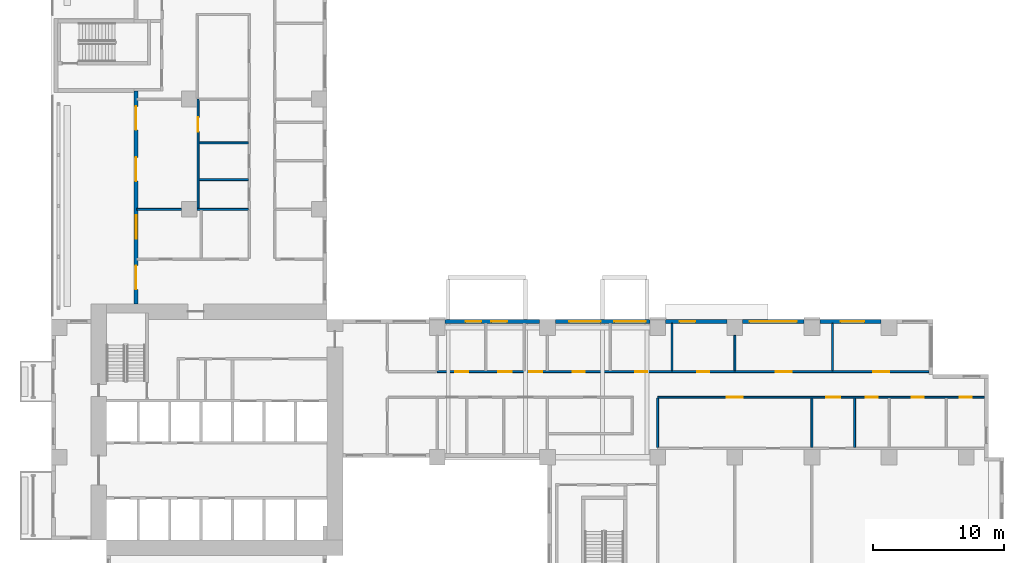
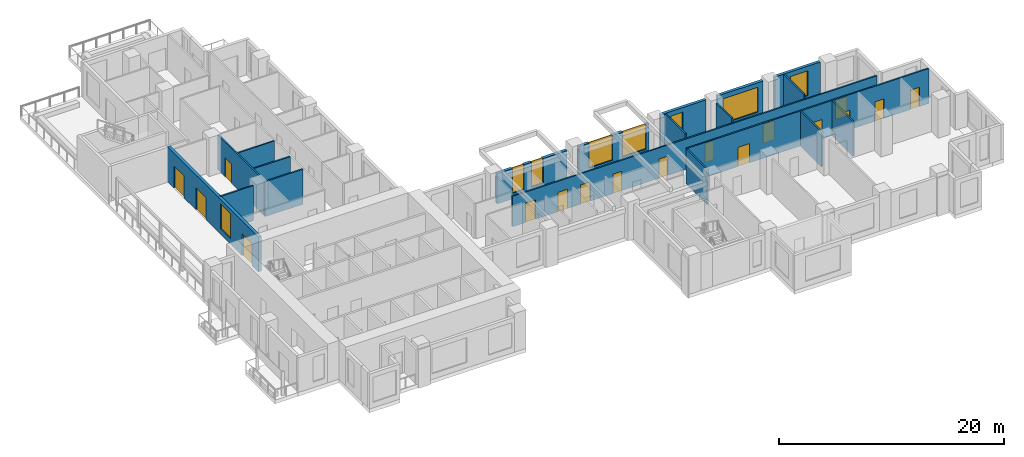
# One storey, part 9 of 18: 19 walls, 17 doors, 8 windows, 25 openings.
"""IFC4 building model written with IfcOpenShell, lengths in metres."""

from ifc_helpers import new_model, si_unit, direction, frame, frame_2d, origin, place, context, subcontext, project, spatial, rectangle, extrude, source, transform, mapped, material, layer, layer_set, type_object, element, fill, save


model = new_model("IFC4")

# Units and contexts
model_context = context("Model", 3, precision=1e-05, world=origin(), true_north=direction((0.0, 1.0)))
body_context = subcontext(model_context, "Body", "Model", "MODEL_VIEW")
ifc_project = project(units=[si_unit("LENGTHUNIT", "METRE"), si_unit("AREAUNIT", "SQUARE_METRE"), si_unit("VOLUMEUNIT", "CUBIC_METRE"), si_unit("PLANEANGLEUNIT", "RADIAN"), si_unit("MASSUNIT", "GRAM", prefix="KILO")], contexts=[model_context])

# Site, building, storey
site_placement = place(None, origin())
site = spatial("IfcSite", under=ifc_project, at=site_placement, CompositionType="ELEMENT")
building_placement = place(site_placement, origin())
building = spatial("IfcBuilding", under=site, at=building_placement, Name="Aurelian Terraces", CompositionType="ELEMENT")
storey_placement = place(building_placement, frame((0.0, 0.0, 99.3)))
storey = spatial("IfcBuildingStorey", under=building, at=storey_placement, Name="L21", CompositionType="ELEMENT", Elevation=99.3)

# Wall, openings, doors, window
ifc_material_1 = material(Name="Terracotta rainscreen cladding", Category="masonry")
ifc_layer_1 = layer(ifc_material_1, 0.3)
ifc_layer_set_1 = layer_set([ifc_layer_1], Name="EW-300")
wall_type_1 = type_object("IfcWallType", Name="EW-300", PredefinedType="STANDARD", material=ifc_layer_set_1)
wall_1_placement = place(storey_placement, frame((6.45, 38.4, 0.0), z_axis=(0.0, 0.0, 1.0), x_axis=(0.0, -1.0, 0.0)))
wall_1 = element("IfcWall", 1, at=wall_1_placement, inside=storey, type_object=wall_type_1, Name="External wall L21 F20.35", PredefinedType="STANDARD", context=body_context, shape_type="SweptSolid", body=[
    extrude(rectangle(XDim=16.2, YDim=0.3, at=frame_2d((8.1, 0.0))), origin(), (0.0, 0.0, 1.0), 3.8),
])
shared_shape_1 = source(origin(), body_context, "Body", "SweptSolid", [
    extrude(rectangle(XDim=1.8, YDim=2.4, at=frame_2d((0.9, 1.2))), frame((0.0, 0.16, 0.0), z_axis=(0.0, -1.0, 0.0), x_axis=(1.0, 0.0, 0.0)), (0.0, 0.0, 1.0), 0.32),
])
opening_1_placement = place(wall_1_placement, frame((1.15, 0.0, 0.0)))
opening_1 = element("IfcOpeningElement", 2, at=opening_1_placement, cuts=wall_1, Name="Opening 82106", PredefinedType="OPENING", context=body_context, shape_type="MappedRepresentation", body=[
    mapped(shared_shape_1, transform((0.0, 0.0, 0.0), scale=1.0)),
])
opening_2_placement = place(wall_1_placement, frame((5.05, 0.0, 0.0)))
opening_2 = element("IfcOpeningElement", 3, at=opening_2_placement, cuts=wall_1, Name="Opening 82107", PredefinedType="OPENING", context=body_context, shape_type="MappedRepresentation", body=[
    mapped(shared_shape_1, transform((0.0, 0.0, 0.0), scale=1.0)),
])
shared_shape_2 = source(origin(), body_context, "Body", "SweptSolid", [
    extrude(rectangle(XDim=1.8, YDim=2.7, at=frame_2d((0.9, 1.35))), frame((0.0, 0.16, 0.0), z_axis=(0.0, -1.0, 0.0), x_axis=(1.0, 0.0, 0.0)), (0.0, 0.0, 1.0), 0.32),
])
opening_3_placement = place(wall_1_placement, frame((9.4375, 0.0, 0.6)))
opening_3 = element("IfcOpeningElement", 4, at=opening_3_placement, cuts=wall_1, Name="Opening W1827", PredefinedType="OPENING", context=body_context, shape_type="MappedRepresentation", body=[
    mapped(shared_shape_2, transform((0.0, 0.0, 0.0), scale=1.0)),
])
opening_4_placement = place(wall_1_placement, frame((13.3, 0.0, 0.0)))
opening_4 = element("IfcOpeningElement", 5, at=opening_4_placement, cuts=wall_1, Name="Opening 82108", PredefinedType="OPENING", context=body_context, shape_type="MappedRepresentation", body=[
    mapped(shared_shape_1, transform((0.0, 0.0, 0.0), scale=1.0)),
])
ifc_material_2 = material(Name="Clear glazing", Category="glass")
door_type_1 = type_object("IfcDoorType", Name="BD-1800x2400", OperationType="SLIDING_TO_LEFT", PredefinedType="DOOR", material=ifc_material_2)
shared_shape_3 = source(origin(), body_context, "Body", "SweptSolid", [
    extrude(rectangle(XDim=1.8, YDim=2.4, at=frame_2d((0.9, 1.2))), frame((0.0, 0.025, 0.0), z_axis=(0.0, -1.0, 0.0), x_axis=(1.0, 0.0, 0.0)), (0.0, 0.0, 1.0), 0.05),
])
door_1_placement = place(opening_1_placement, origin())
door_1 = element("IfcDoor", 6, at=door_1_placement, inside=storey, type_object=door_type_1, Name="Terrace door L21 L21-F20-35.1", OperationType="SLIDING_TO_LEFT", OverallHeight=2.4, OverallWidth=1.8, PredefinedType="DOOR", context=body_context, shape_type="MappedRepresentation", body=[
    mapped(shared_shape_3, transform((0.0, 0.0, 0.0), scale=1.0)),
])
fill(opening_1, door_1)
door_2_placement = place(opening_2_placement, origin())
door_2 = element("IfcDoor", 7, at=door_2_placement, inside=storey, type_object=door_type_1, Name="Terrace door L21 L21-F20-35.2", OperationType="SLIDING_TO_LEFT", OverallHeight=2.4, OverallWidth=1.8, PredefinedType="DOOR", context=body_context, shape_type="MappedRepresentation", body=[
    mapped(shared_shape_3, transform((0.0, 0.0, 0.0), scale=1.0)),
])
fill(opening_2, door_2)
door_3_placement = place(opening_4_placement, origin())
door_3 = element("IfcDoor", 8, at=door_3_placement, inside=storey, type_object=door_type_1, Name="Terrace door L21 L21-F20-35.4", OperationType="SLIDING_TO_LEFT", OverallHeight=2.4, OverallWidth=1.8, PredefinedType="DOOR", context=body_context, shape_type="MappedRepresentation", body=[
    mapped(shared_shape_3, transform((0.0, 0.0, 0.0), scale=1.0)),
])
fill(opening_4, door_3)
window_type_1 = type_object("IfcWindowType", Name="W-1800x2700", PartitioningType="SINGLE_PANEL", PredefinedType="WINDOW", material=ifc_material_2)
shared_shape_4 = source(origin(), body_context, "Body", "SweptSolid", [
    extrude(rectangle(XDim=1.8, YDim=2.7, at=frame_2d((0.9, 1.35))), frame((0.0, 0.03, 0.0), z_axis=(0.0, -1.0, 0.0), x_axis=(1.0, 0.0, 0.0)), (0.0, 0.0, 1.0), 0.06),
])
window_1_placement = place(opening_3_placement, origin())
window_1 = element("IfcWindow", 9, at=window_1_placement, inside=storey, type_object=window_type_1, Name="Window L21 L21-F20-35-2", OverallHeight=2.7, OverallWidth=1.8, PartitioningType="SINGLE_PANEL", PredefinedType="WINDOW", context=body_context, shape_type="MappedRepresentation", body=[
    mapped(shared_shape_4, transform((0.0, 0.0, 0.0), scale=1.0)),
])
fill(opening_3, window_1)

# Wall
ifc_material_3 = material(Name="Gypsum board on steel studs", Category="steel")
ifc_layer_2 = layer(ifc_material_3, 0.15)
ifc_layer_set_2 = layer_set([ifc_layer_2], Name="Partition 150")
wall_type_2 = type_object("IfcWallType", Name="Partition 150", PredefinedType="PARTITIONING", material=ifc_layer_set_2)
wall_2_placement = place(storey_placement, frame((9.901, 29.4, 0.0), z_axis=(0.0, 0.0, 1.0), x_axis=(-1.0, 0.0, 0.0)))
element("IfcWall", 10, at=wall_2_placement, inside=storey, type_object=wall_type_2, Name="Partition", PredefinedType="PARTITIONING", context=body_context, shape_type="SweptSolid", body=[
    extrude(rectangle(XDim=3.396, YDim=0.15, at=frame_2d((1.698, 0.0))), origin(), (0.0, 0.0, 1.0), 3.8),
])

# Wall, opening, window
shared_shape_5 = source(origin(), body_context, "Body", "SweptSolid", [
    extrude(rectangle(XDim=4.68, YDim=0.3, at=frame_2d((2.34, 0.0))), origin(), (0.0, 0.0, 1.0), 3.8),
])
wall_3_placement = place(storey_placement, frame((63.24, 20.85, 0.0), z_axis=(0.0, 0.0, 1.0), x_axis=(-1.0, 0.0, 0.0)))
wall_3 = element("IfcWall", 11, at=wall_3_placement, inside=storey, type_object=wall_type_1, Name="External wall L21 F11.21", PredefinedType="STANDARD", context=body_context, shape_type="MappedRepresentation", body=[
    mapped(shared_shape_5, transform((0.0, 0.0, 0.0), scale=1.0)),
])
opening_5_placement = place(wall_3_placement, frame((1.2885, 0.0, 0.6)))
opening_5 = element("IfcOpeningElement", 12, at=opening_5_placement, cuts=wall_3, Name="Opening W1827", PredefinedType="OPENING", context=body_context, shape_type="MappedRepresentation", body=[
    mapped(shared_shape_2, transform((0.0, 0.0, 0.0), scale=1.0)),
])
window_2_placement = place(opening_5_placement, origin())
window_2 = element("IfcWindow", 13, at=window_2_placement, inside=storey, type_object=window_type_1, Name="Window L21 L21-F11-21-1", OverallHeight=2.7, OverallWidth=1.8, PartitioningType="SINGLE_PANEL", PredefinedType="WINDOW", context=body_context, shape_type="MappedRepresentation", body=[
    mapped(shared_shape_4, transform((0.0, 0.0, 0.0), scale=1.0)),
])
fill(opening_5, window_2)

wall_4_placement = place(storey_placement, frame((57.36, 20.85, 0.0), z_axis=(0.0, 0.0, 1.0), x_axis=(-1.0, 0.0, 0.0)))
wall_4 = element("IfcWall", 14, at=wall_4_placement, inside=storey, type_object=wall_type_1, Name="External wall L21 F11.21", PredefinedType="STANDARD", context=body_context, shape_type="MappedRepresentation", body=[
    mapped(shared_shape_5, transform((0.0, 0.0, 0.0), scale=1.0)),
])
shared_shape_6 = source(origin(), body_context, "Body", "SweptSolid", [
    extrude(rectangle(XDim=3.6, YDim=2.7, at=frame_2d((1.8, 1.35))), frame((0.0, 0.16, 0.0), z_axis=(0.0, -1.0, 0.0), x_axis=(1.0, 0.0, 0.0)), (0.0, 0.0, 1.0), 0.32),
])
opening_6_placement = place(wall_4_placement, frame((0.54, 0.0, 0.6)))
opening_6 = element("IfcOpeningElement", 15, at=opening_6_placement, cuts=wall_4, Name="Opening W3627", PredefinedType="OPENING", context=body_context, shape_type="MappedRepresentation", body=[
    mapped(shared_shape_6, transform((0.0, 0.0, 0.0), scale=1.0)),
])
window_type_2 = type_object("IfcWindowType", Name="W-3600x2700", PartitioningType="SINGLE_PANEL", PredefinedType="WINDOW", material=ifc_material_2)
shared_shape_7 = source(origin(), body_context, "Body", "SweptSolid", [
    extrude(rectangle(XDim=3.6, YDim=2.7, at=frame_2d((1.8, 1.35))), frame((0.0, 0.03, 0.0), z_axis=(0.0, -1.0, 0.0), x_axis=(1.0, 0.0, 0.0)), (0.0, 0.0, 1.0), 0.06),
])
window_3_placement = place(opening_6_placement, origin())
window_3 = element("IfcWindow", 16, at=window_3_placement, inside=storey, type_object=window_type_2, Name="Window L21 L21-F11-21-P2", OverallHeight=2.7, OverallWidth=3.6, PartitioningType="SINGLE_PANEL", PredefinedType="WINDOW", context=body_context, shape_type="MappedRepresentation", body=[
    mapped(shared_shape_7, transform((0.0, 0.0, 0.0), scale=1.0)),
])
fill(opening_6, window_3)

wall_5_placement = place(storey_placement, frame((51.48, 20.85, 0.0), z_axis=(0.0, 0.0, 1.0), x_axis=(-1.0, 0.0, 0.0)))
wall_5 = element("IfcWall", 17, at=wall_5_placement, inside=storey, type_object=wall_type_1, Name="External wall L21 F11.21", PredefinedType="STANDARD", context=body_context, shape_type="MappedRepresentation", body=[
    mapped(shared_shape_5, transform((0.0, 0.0, 0.0), scale=1.0)),
])
shared_shape_8 = source(origin(), body_context, "Body", "SweptSolid", [
    extrude(rectangle(XDim=1.2, YDim=2.7, at=frame_2d((0.6, 1.35))), frame((0.0, 0.16, 0.0), z_axis=(0.0, -1.0, 0.0), x_axis=(1.0, 0.0, 0.0)), (0.0, 0.0, 1.0), 0.32),
])
opening_7_placement = place(wall_5_placement, frame((2.395, 0.0, 0.6)))
opening_7 = element("IfcOpeningElement", 18, at=opening_7_placement, cuts=wall_5, Name="Opening W1227", PredefinedType="OPENING", context=body_context, shape_type="MappedRepresentation", body=[
    mapped(shared_shape_8, transform((0.0, 0.0, 0.0), scale=1.0)),
])
window_type_3 = type_object("IfcWindowType", Name="W-1200x2700", PartitioningType="SINGLE_PANEL", PredefinedType="WINDOW", material=ifc_material_2)
shared_shape_9 = source(origin(), body_context, "Body", "SweptSolid", [
    extrude(rectangle(XDim=1.2, YDim=2.7, at=frame_2d((0.6, 1.35))), frame((0.0, 0.03, 0.0), z_axis=(0.0, -1.0, 0.0), x_axis=(1.0, 0.0, 0.0)), (0.0, 0.0, 1.0), 0.06),
])
window_4_placement = place(opening_7_placement, origin())
window_4 = element("IfcWindow", 19, at=window_4_placement, inside=storey, type_object=window_type_3, Name="Window L21 L21-F11-21-4", OverallHeight=2.7, OverallWidth=1.2, PartitioningType="SINGLE_PANEL", PredefinedType="WINDOW", context=body_context, shape_type="MappedRepresentation", body=[
    mapped(shared_shape_9, transform((0.0, 0.0, 0.0), scale=1.0)),
])
fill(opening_7, window_4)

# Wall, openings, windows
shared_shape_10 = source(origin(), body_context, "Body", "SweptSolid", [
    extrude(rectangle(XDim=7.2, YDim=0.3, at=frame_2d((3.6, 0.0))), origin(), (0.0, 0.0, 1.0), 3.3),
])
wall_6_placement = place(storey_placement, frame((45.6, 20.85, 0.0), z_axis=(0.0, 0.0, 1.0), x_axis=(-1.0, 0.0, 0.0)))
wall_6 = element("IfcWall", 20, at=wall_6_placement, inside=storey, type_object=wall_type_1, Name="External wall L21 F11.22", PredefinedType="STANDARD", context=body_context, shape_type="MappedRepresentation", body=[
    mapped(shared_shape_10, transform((0.0, 0.0, 0.0), scale=1.0)),
])
shared_shape_11 = source(origin(), body_context, "Body", "SweptSolid", [
    extrude(rectangle(XDim=2.4, YDim=2.7, at=frame_2d((1.2, 1.35))), frame((0.0, 0.16, 0.0), z_axis=(0.0, -1.0, 0.0), x_axis=(1.0, 0.0, 0.0)), (0.0, 0.0, 1.0), 0.32),
])
opening_8_placement = place(wall_6_placement, frame((0.3, 0.0, 0.6)))
opening_8 = element("IfcOpeningElement", 21, at=opening_8_placement, cuts=wall_6, Name="Opening W2427", PredefinedType="OPENING", context=body_context, shape_type="MappedRepresentation", body=[
    mapped(shared_shape_11, transform((0.0, 0.0, 0.0), scale=1.0)),
])
opening_9_placement = place(wall_6_placement, frame((3.75, 0.0, 0.6)))
opening_9 = element("IfcOpeningElement", 22, at=opening_9_placement, cuts=wall_6, Name="Opening W2427", PredefinedType="OPENING", context=body_context, shape_type="MappedRepresentation", body=[
    mapped(shared_shape_11, transform((0.0, 0.0, 0.0), scale=1.0)),
])
window_type_4 = type_object("IfcWindowType", Name="W-2400x2700", PartitioningType="SINGLE_PANEL", PredefinedType="WINDOW", material=ifc_material_2)
shared_shape_12 = source(origin(), body_context, "Body", "SweptSolid", [
    extrude(rectangle(XDim=2.4, YDim=2.7, at=frame_2d((1.2, 1.35))), frame((0.0, 0.03, 0.0), z_axis=(0.0, -1.0, 0.0), x_axis=(1.0, 0.0, 0.0)), (0.0, 0.0, 1.0), 0.06),
])
window_5_placement = place(opening_8_placement, origin())
window_5 = element("IfcWindow", 23, at=window_5_placement, inside=storey, type_object=window_type_4, Name="Window L21 L21-F11-22-0", OverallHeight=2.7, OverallWidth=2.4, PartitioningType="SINGLE_PANEL", PredefinedType="WINDOW", context=body_context, shape_type="MappedRepresentation", body=[
    mapped(shared_shape_12, transform((0.0, 0.0, 0.0), scale=1.0)),
])
fill(opening_8, window_5)
window_6_placement = place(opening_9_placement, origin())
window_6 = element("IfcWindow", 24, at=window_6_placement, inside=storey, type_object=window_type_4, Name="Window L21 L21-F11-22-G0-33", OverallHeight=2.7, OverallWidth=2.4, PartitioningType="SINGLE_PANEL", PredefinedType="WINDOW", context=body_context, shape_type="MappedRepresentation", body=[
    mapped(shared_shape_12, transform((0.0, 0.0, 0.0), scale=1.0)),
])
fill(opening_9, window_6)

wall_7_placement = place(storey_placement, frame((37.2, 20.85, 0.0), z_axis=(0.0, 0.0, 1.0), x_axis=(-1.0, 0.0, 0.0)))
wall_7 = element("IfcWall", 25, at=wall_7_placement, inside=storey, type_object=wall_type_1, Name="External wall L21 F11.22", PredefinedType="STANDARD", context=body_context, shape_type="MappedRepresentation", body=[
    mapped(shared_shape_10, transform((0.0, 0.0, 0.0), scale=1.0)),
])
opening_10_placement = place(wall_7_placement, frame((2.466, 0.0, 0.6)))
opening_10 = element("IfcOpeningElement", 26, at=opening_10_placement, cuts=wall_7, Name="Opening W1227", PredefinedType="OPENING", context=body_context, shape_type="MappedRepresentation", body=[
    mapped(shared_shape_8, transform((0.0, 0.0, 0.0), scale=1.0)),
])
opening_11_placement = place(wall_7_placement, frame((4.441, 0.0, 0.6)))
opening_11 = element("IfcOpeningElement", 27, at=opening_11_placement, cuts=wall_7, Name="Opening W1227", PredefinedType="OPENING", context=body_context, shape_type="MappedRepresentation", body=[
    mapped(shared_shape_8, transform((0.0, 0.0, 0.0), scale=1.0)),
])
window_7_placement = place(opening_10_placement, origin())
window_7 = element("IfcWindow", 28, at=window_7_placement, inside=storey, type_object=window_type_3, Name="Window L21 L21-F11-22-2.1", OverallHeight=2.7, OverallWidth=1.2, PartitioningType="SINGLE_PANEL", PredefinedType="WINDOW", context=body_context, shape_type="MappedRepresentation", body=[
    mapped(shared_shape_9, transform((0.0, 0.0, 0.0), scale=1.0)),
])
fill(opening_10, window_7)
window_8_placement = place(opening_11_placement, origin())
window_8 = element("IfcWindow", 29, at=window_8_placement, inside=storey, type_object=window_type_3, Name="Window L21 L21-F11-22-2.2", OverallHeight=2.7, OverallWidth=1.2, PartitioningType="SINGLE_PANEL", PredefinedType="WINDOW", context=body_context, shape_type="MappedRepresentation", body=[
    mapped(shared_shape_9, transform((0.0, 0.0, 0.0), scale=1.0)),
])
fill(opening_11, window_8)

# Walls
shared_shape_13 = source(origin(), body_context, "Body", "SweptSolid", [
    extrude(rectangle(XDim=3.75, YDim=0.15, at=frame_2d((1.875, 0.0))), origin(), (0.0, 0.0, 1.0), 3.8),
])
for number, where, z_axis, x_axis, name in (
    (30, (61.2067, 11.25, 0.0), (0.0, 0.0, 1.0), (0.0, 1.0, 0.0), "Partition"),
    (31, (46.2, 11.25, 0.0), (0.0, 0.0, 1.0), (0.0, 1.0, 0.0), "Partition"),
    (32, (57.96, 11.25, 0.0), (0.0, 0.0, 1.0), (0.0, 1.0, 0.0), "Partition"),
    (33, (15.0, 31.6645, 0.0), (0.0, 0.0, 1.0), (-1.0, 0.0, 0.0), "Partition"),
    (34, (15.0, 34.4708, 0.0), (0.0, 0.0, 1.0), (-1.0, 0.0, 0.0), "Partition"),
):
    element("IfcWall", number, at=place(storey_placement, frame(where, z_axis=z_axis, x_axis=x_axis)), inside=storey, type_object=wall_type_2, Name=name, PredefinedType="PARTITIONING", context=body_context, shape_type="MappedRepresentation", body=[
        mapped(shared_shape_13, transform((0.0, 0.0, 0.0), scale=1.0)),
    ])
shared_shape_14 = source(origin(), body_context, "Body", "SweptSolid", [
    extrude(rectangle(XDim=3.6, YDim=0.15, at=frame_2d((1.8, 0.0))), origin(), (0.0, 0.0, 1.0), 3.8),
])
for number, where, z_axis, x_axis, name in (
    (35, (47.295, 20.7, 0.0), (0.0, 0.0, 1.0), (0.0, -1.0, 0.0), "Partition"),
    (36, (59.5275, 20.7, 0.0), (0.0, 0.0, 1.0), (0.0, -1.0, 0.0), "Partition"),
):
    element("IfcWall", number, at=place(storey_placement, frame(where, z_axis=z_axis, x_axis=x_axis)), inside=storey, type_object=wall_type_2, Name=name, PredefinedType="PARTITIONING", context=body_context, shape_type="MappedRepresentation", body=[
        mapped(shared_shape_14, transform((0.0, 0.0, 0.0), scale=1.0)),
    ])
shared_shape_15 = source(origin(), body_context, "Body", "SweptSolid", [
    extrude(rectangle(XDim=2.701, YDim=0.15, at=frame_2d((1.3505, 0.0))), origin(), (0.0, 0.0, 1.0), 3.8),
])
wall_8_placement = place(storey_placement, frame((52.08, 17.1, 0.0), z_axis=(0.0, 0.0, 1.0), x_axis=(0.0, 1.0, 0.0)))
element("IfcWall", 37, at=wall_8_placement, inside=storey, type_object=wall_type_2, Name="Partition", PredefinedType="PARTITIONING", context=body_context, shape_type="MappedRepresentation", body=[
    mapped(shared_shape_15, transform((0.0, 0.0, 0.0), scale=1.0)),
])

# Wall, opening, door
shared_shape_16 = source(origin(), body_context, "Body", "SweptSolid", [
    extrude(rectangle(XDim=8.4, YDim=0.15, at=frame_2d((4.2, 0.0))), origin(), (0.0, 0.0, 1.0), 3.8),
])
wall_9_placement = place(storey_placement, frame((11.175, 29.4, 0.0), z_axis=(0.0, 0.0, 1.0), x_axis=(0.0, 1.0, 0.0)))
wall_9 = element("IfcWall", 38, at=wall_9_placement, inside=storey, type_object=wall_type_2, Name="Partition", PredefinedType="PARTITIONING", context=body_context, shape_type="MappedRepresentation", body=[
    mapped(shared_shape_16, transform((0.0, 0.0, 0.0), scale=1.0)),
])
shared_shape_17 = source(origin(), body_context, "Body", "SweptSolid", [
    extrude(rectangle(XDim=1.1, YDim=2.1, at=frame_2d((0.55, 1.05))), frame((0.0, 0.085, 0.0), z_axis=(0.0, -1.0, 0.0), x_axis=(1.0, 0.0, 0.0)), (0.0, 0.0, 1.0), 0.17),
])
opening_12_placement = place(wall_9_placement, frame((5.9208, 0.0, 0.0)))
opening_12 = element("IfcOpeningElement", 39, at=opening_12_placement, cuts=wall_9, Name="Opening 721030", PredefinedType="OPENING", context=body_context, shape_type="MappedRepresentation", body=[
    mapped(shared_shape_17, transform((0.0, 0.0, 0.0), scale=1.0)),
])
ifc_material_4 = material(Name="Timber door leaf", Category="wood")
door_type_2 = type_object("IfcDoorType", Name="Room door 1100x2100 left", OperationType="SINGLE_SWING_LEFT", PredefinedType="DOOR", material=ifc_material_4)
shared_shape_18 = source(origin(), body_context, "Body", "SweptSolid", [
    extrude(rectangle(XDim=1.1, YDim=2.1, at=frame_2d((0.55, 1.05))), frame((0.0, 0.025, 0.0), z_axis=(0.0, -1.0, 0.0), x_axis=(1.0, 0.0, 0.0)), (0.0, 0.0, 1.0), 0.05),
])
door_4_placement = place(opening_12_placement, origin())
door_4 = element("IfcDoor", 40, at=door_4_placement, inside=storey, type_object=door_type_2, Name="Door 721030", OperationType="SINGLE_SWING_LEFT", OverallHeight=2.1, OverallWidth=1.1, PredefinedType="DOOR", context=body_context, shape_type="MappedRepresentation", body=[
    mapped(shared_shape_18, transform((0.0, 0.0, 0.0), scale=1.0)),
])
fill(opening_12, door_4)

# Wall, openings, doors
ifc_layer_3 = layer(ifc_material_3, 0.15)
ifc_layer_set_3 = layer_set([ifc_layer_3], Name="Fire partition 150")
wall_type_3 = type_object("IfcWallType", Name="Fire partition 150", PredefinedType="PARTITIONING", material=ifc_layer_set_3)
shared_shape_19 = source(origin(), body_context, "Body", "SweptSolid", [
    extrude(rectangle(XDim=24.9, YDim=0.15, at=frame_2d((12.45, 0.0))), origin(), (0.0, 0.0, 1.0), 3.8),
])
wall_10_placement = place(storey_placement, frame((71.1, 15.075, 0.0), z_axis=(0.0, 0.0, 1.0), x_axis=(-1.0, 0.0, 0.0)))
wall_10 = element("IfcWall", 41, at=wall_10_placement, inside=storey, type_object=wall_type_3, Name="Corridor wall", PredefinedType="PARTITIONING", context=body_context, shape_type="MappedRepresentation", body=[
    mapped(shared_shape_19, transform((0.0, 0.0, 0.0), scale=1.0)),
])
shared_shape_20 = source(origin(), body_context, "Body", "SweptSolid", [
    extrude(rectangle(XDim=1.2, YDim=2.1, at=frame_2d((0.6, 1.05))), frame((0.0, 0.085, 0.0), z_axis=(0.0, -1.0, 0.0), x_axis=(1.0, 0.0, 0.0)), (0.0, 0.0, 1.0), 0.17),
])
opening_13_placement = place(wall_10_placement, frame((18.42, 0.0, 0.0)))
opening_13 = element("IfcOpeningElement", 42, at=opening_13_placement, cuts=wall_10, Name="Opening 721008", PredefinedType="OPENING", context=body_context, shape_type="MappedRepresentation", body=[
    mapped(shared_shape_20, transform((0.0, 0.0, 0.0), scale=1.0)),
])
opening_14_placement = place(wall_10_placement, frame((10.9666, 0.0, 0.0)))
opening_14 = element("IfcOpeningElement", 43, at=opening_14_placement, cuts=wall_10, Name="Opening 721011", PredefinedType="OPENING", context=body_context, shape_type="MappedRepresentation", body=[
    mapped(shared_shape_17, transform((0.0, 0.0, 0.0), scale=1.0)),
])
shared_shape_21 = source(origin(), body_context, "Body", "SweptSolid", [
    extrude(rectangle(XDim=0.9, YDim=2.1, at=frame_2d((0.45, 1.05))), frame((0.0, 0.085, 0.0), z_axis=(0.0, -1.0, 0.0), x_axis=(1.0, 0.0, 0.0)), (0.0, 0.0, 1.0), 0.17),
])
opening_15_placement = place(wall_10_placement, frame((8.1266, 0.0, 0.0)))
opening_15 = element("IfcOpeningElement", 44, at=opening_15_placement, cuts=wall_10, Name="Opening 721013", PredefinedType="OPENING", context=body_context, shape_type="MappedRepresentation", body=[
    mapped(shared_shape_21, transform((0.0, 0.0, 0.0), scale=1.0)),
])
opening_16_placement = place(wall_10_placement, frame((4.6314, 0.0, 0.0)))
opening_16 = element("IfcOpeningElement", 45, at=opening_16_placement, cuts=wall_10, Name="Opening 721014", PredefinedType="OPENING", context=body_context, shape_type="MappedRepresentation", body=[
    mapped(shared_shape_21, transform((0.0, 0.0, 0.0), scale=1.0)),
])
opening_17_placement = place(wall_10_placement, frame((0.9639, 0.0, 0.0)))
opening_17 = element("IfcOpeningElement", 46, at=opening_17_placement, cuts=wall_10, Name="Opening 721015", PredefinedType="OPENING", context=body_context, shape_type="MappedRepresentation", body=[
    mapped(shared_shape_21, transform((0.0, 0.0, 0.0), scale=1.0)),
])
door_type_3 = type_object("IfcDoorType", Name="Room door 900x2100 right", OperationType="SINGLE_SWING_RIGHT", PredefinedType="DOOR", material=ifc_material_4)
shared_shape_22 = source(origin(), body_context, "Body", "SweptSolid", [
    extrude(rectangle(XDim=0.9, YDim=2.1, at=frame_2d((0.45, 1.05))), frame((0.0, 0.025, 0.0), z_axis=(0.0, -1.0, 0.0), x_axis=(1.0, 0.0, 0.0)), (0.0, 0.0, 1.0), 0.05),
])
door_5_placement = place(opening_15_placement, origin())
door_5 = element("IfcDoor", 47, at=door_5_placement, inside=storey, type_object=door_type_3, Name="Door 721013", OperationType="SINGLE_SWING_RIGHT", OverallHeight=2.1, OverallWidth=0.9, PredefinedType="DOOR", context=body_context, shape_type="MappedRepresentation", body=[
    mapped(shared_shape_22, transform((0.0, 0.0, 0.0), scale=1.0)),
])
fill(opening_15, door_5)
door_type_4 = type_object("IfcDoorType", Name="Room door 900x2100 left", OperationType="SINGLE_SWING_LEFT", PredefinedType="DOOR", material=ifc_material_4)
door_6_placement = place(opening_16_placement, origin())
door_6 = element("IfcDoor", 48, at=door_6_placement, inside=storey, type_object=door_type_4, Name="Door 721014", OperationType="SINGLE_SWING_LEFT", OverallHeight=2.1, OverallWidth=0.9, PredefinedType="DOOR", context=body_context, shape_type="MappedRepresentation", body=[
    mapped(shared_shape_22, transform((0.0, 0.0, 0.0), scale=1.0)),
])
fill(opening_16, door_6)
door_7_placement = place(opening_17_placement, origin())
door_7 = element("IfcDoor", 49, at=door_7_placement, inside=storey, type_object=door_type_3, Name="Door 721015", OperationType="SINGLE_SWING_RIGHT", OverallHeight=2.1, OverallWidth=0.9, PredefinedType="DOOR", context=body_context, shape_type="MappedRepresentation", body=[
    mapped(shared_shape_22, transform((0.0, 0.0, 0.0), scale=1.0)),
])
fill(opening_17, door_7)
door_type_5 = type_object("IfcDoorType", Name="Room door 1100x2100 right", OperationType="SINGLE_SWING_RIGHT", PredefinedType="DOOR", material=ifc_material_4)
door_8_placement = place(opening_14_placement, origin())
door_8 = element("IfcDoor", 50, at=door_8_placement, inside=storey, type_object=door_type_5, Name="Door 721011", OperationType="SINGLE_SWING_RIGHT", OverallHeight=2.1, OverallWidth=1.1, PredefinedType="DOOR", context=body_context, shape_type="MappedRepresentation", body=[
    mapped(shared_shape_18, transform((0.0, 0.0, 0.0), scale=1.0)),
])
fill(opening_14, door_8)
door_type_6 = type_object("IfcDoorType", Name="Room door 1200x2100 right", OperationType="SINGLE_SWING_RIGHT", PredefinedType="DOOR", material=ifc_material_4)
shared_shape_23 = source(origin(), body_context, "Body", "SweptSolid", [
    extrude(rectangle(XDim=1.2, YDim=2.1, at=frame_2d((0.6, 1.05))), frame((0.0, 0.025, 0.0), z_axis=(0.0, -1.0, 0.0), x_axis=(1.0, 0.0, 0.0)), (0.0, 0.0, 1.0), 0.05),
])
door_9_placement = place(opening_13_placement, origin())
door_9 = element("IfcDoor", 51, at=door_9_placement, inside=storey, type_object=door_type_6, Name="Door 721008", OperationType="SINGLE_SWING_RIGHT", OverallHeight=2.1, OverallWidth=1.2, PredefinedType="DOOR", context=body_context, shape_type="MappedRepresentation", body=[
    mapped(shared_shape_23, transform((0.0, 0.0, 0.0), scale=1.0)),
])
fill(opening_13, door_9)

# Wall
shared_shape_24 = source(origin(), body_context, "Body", "SweptSolid", [
    extrude(rectangle(XDim=3.901, YDim=0.15, at=frame_2d((1.9505, 0.0))), origin(), (0.0, 0.0, 1.0), 3.8),
])
wall_11_placement = place(storey_placement, frame((15.0, 29.4, 0.0), z_axis=(0.0, 0.0, 1.0), x_axis=(-1.0, 0.0, 0.0)))
element("IfcWall", 52, at=wall_11_placement, inside=storey, type_object=wall_type_2, Name="Partition", PredefinedType="PARTITIONING", context=body_context, shape_type="MappedRepresentation", body=[
    mapped(shared_shape_24, transform((0.0, 0.0, 0.0), scale=1.0)),
])

# Wall, openings, doors
shared_shape_25 = source(origin(), body_context, "Body", "SweptSolid", [
    extrude(rectangle(XDim=37.5, YDim=0.15, at=frame_2d((18.75, 0.0))), origin(), (0.0, 0.0, 1.0), 3.3),
])
wall_12_placement = place(storey_placement, frame((29.4, 17.025, 0.0), z_axis=(0.0, 0.0, 1.0), x_axis=(1.0, 0.0, 0.0)))
wall_12 = element("IfcWall", 53, at=wall_12_placement, inside=storey, type_object=wall_type_3, Name="Corridor wall", PredefinedType="PARTITIONING", context=body_context, shape_type="MappedRepresentation", body=[
    mapped(shared_shape_25, transform((0.0, 0.0, 0.0), scale=1.0)),
])
shared_shape_26 = source(origin(), body_context, "Body", "SweptSolid", [
    extrude(rectangle(XDim=1.0, YDim=2.1, at=frame_2d((0.5, 1.05))), frame((0.0, 0.085, 0.0), z_axis=(0.0, -1.0, 0.0), x_axis=(1.0, 0.0, 0.0)), (0.0, 0.0, 1.0), 0.17),
])
opening_18_placement = place(wall_12_placement, frame((1.3567, 0.0, 0.0)))
opening_18 = element("IfcOpeningElement", 54, at=opening_18_placement, cuts=wall_12, Name="Opening 721016", PredefinedType="OPENING", context=body_context, shape_type="MappedRepresentation", body=[
    mapped(shared_shape_26, transform((0.0, 0.0, 0.0), scale=1.0)),
])
opening_19_placement = place(wall_12_placement, frame((4.6686, 0.0, 0.0)))
opening_19 = element("IfcOpeningElement", 55, at=opening_19_placement, cuts=wall_12, Name="Opening 721017", PredefinedType="OPENING", context=body_context, shape_type="MappedRepresentation", body=[
    mapped(shared_shape_26, transform((0.0, 0.0, 0.0), scale=1.0)),
])
opening_20_placement = place(wall_12_placement, frame((7.012, 0.0, 0.0)))
opening_20 = element("IfcOpeningElement", 56, at=opening_20_placement, cuts=wall_12, Name="Opening 721018", PredefinedType="OPENING", context=body_context, shape_type="MappedRepresentation", body=[
    mapped(shared_shape_26, transform((0.0, 0.0, 0.0), scale=1.0)),
])
opening_21_placement = place(wall_12_placement, frame((10.3425, 0.0, 0.0)))
opening_21 = element("IfcOpeningElement", 57, at=opening_21_placement, cuts=wall_12, Name="Opening 721019", PredefinedType="OPENING", context=body_context, shape_type="MappedRepresentation", body=[
    mapped(shared_shape_21, transform((0.0, 0.0, 0.0), scale=1.0)),
])
opening_22_placement = place(wall_12_placement, frame((15.09, 0.0, 0.0)))
opening_22 = element("IfcOpeningElement", 58, at=opening_22_placement, cuts=wall_12, Name="Opening 721020", PredefinedType="OPENING", context=body_context, shape_type="MappedRepresentation", body=[
    mapped(shared_shape_21, transform((0.0, 0.0, 0.0), scale=1.0)),
])
opening_23_placement = place(wall_12_placement, frame((19.8375, 0.0, 0.0)))
opening_23 = element("IfcOpeningElement", 59, at=opening_23_placement, cuts=wall_12, Name="Opening 721021", PredefinedType="OPENING", context=body_context, shape_type="MappedRepresentation", body=[
    mapped(shared_shape_21, transform((0.0, 0.0, 0.0), scale=1.0)),
])
opening_24_placement = place(wall_12_placement, frame((25.8038, 0.0, 0.0)))
opening_24 = element("IfcOpeningElement", 60, at=opening_24_placement, cuts=wall_12, Name="Opening 721022", PredefinedType="OPENING", context=body_context, shape_type="MappedRepresentation", body=[
    mapped(shared_shape_20, transform((0.0, 0.0, 0.0), scale=1.0)),
])
opening_25_placement = place(wall_12_placement, frame((33.2512, 0.0, 0.0)))
opening_25 = element("IfcOpeningElement", 61, at=opening_25_placement, cuts=wall_12, Name="Opening 721023", PredefinedType="OPENING", context=body_context, shape_type="MappedRepresentation", body=[
    mapped(shared_shape_20, transform((0.0, 0.0, 0.0), scale=1.0)),
])
door_type_7 = type_object("IfcDoorType", Name="Room door 1000x2100 right", OperationType="SINGLE_SWING_RIGHT", PredefinedType="DOOR", material=ifc_material_4)
shared_shape_27 = source(origin(), body_context, "Body", "SweptSolid", [
    extrude(rectangle(XDim=1.0, YDim=2.1, at=frame_2d((0.5, 1.05))), frame((0.0, 0.025, 0.0), z_axis=(0.0, -1.0, 0.0), x_axis=(1.0, 0.0, 0.0)), (0.0, 0.0, 1.0), 0.05),
])
door_10_placement = place(opening_18_placement, origin())
door_10 = element("IfcDoor", 62, at=door_10_placement, inside=storey, type_object=door_type_7, Name="Door 721016", OperationType="SINGLE_SWING_RIGHT", OverallHeight=2.1, OverallWidth=1.0, PredefinedType="DOOR", context=body_context, shape_type="MappedRepresentation", body=[
    mapped(shared_shape_27, transform((0.0, 0.0, 0.0), scale=1.0)),
])
fill(opening_18, door_10)
door_type_8 = type_object("IfcDoorType", Name="Room door 1000x2100 left", OperationType="SINGLE_SWING_LEFT", PredefinedType="DOOR", material=ifc_material_4)
door_11_placement = place(opening_19_placement, origin())
door_11 = element("IfcDoor", 63, at=door_11_placement, inside=storey, type_object=door_type_8, Name="Door 721017", OperationType="SINGLE_SWING_LEFT", OverallHeight=2.1, OverallWidth=1.0, PredefinedType="DOOR", context=body_context, shape_type="MappedRepresentation", body=[
    mapped(shared_shape_27, transform((0.0, 0.0, 0.0), scale=1.0)),
])
fill(opening_19, door_11)
door_12_placement = place(opening_20_placement, origin())
door_12 = element("IfcDoor", 64, at=door_12_placement, inside=storey, type_object=door_type_7, Name="Door 721018", OperationType="SINGLE_SWING_RIGHT", OverallHeight=2.1, OverallWidth=1.0, PredefinedType="DOOR", context=body_context, shape_type="MappedRepresentation", body=[
    mapped(shared_shape_27, transform((0.0, 0.0, 0.0), scale=1.0)),
])
fill(opening_20, door_12)
door_13_placement = place(opening_21_placement, origin())
door_13 = element("IfcDoor", 65, at=door_13_placement, inside=storey, type_object=door_type_3, Name="Door 721019", OperationType="SINGLE_SWING_RIGHT", OverallHeight=2.1, OverallWidth=0.9, PredefinedType="DOOR", context=body_context, shape_type="MappedRepresentation", body=[
    mapped(shared_shape_22, transform((0.0, 0.0, 0.0), scale=1.0)),
])
fill(opening_21, door_13)
door_14_placement = place(opening_22_placement, origin())
door_14 = element("IfcDoor", 66, at=door_14_placement, inside=storey, type_object=door_type_4, Name="Door 721020", OperationType="SINGLE_SWING_LEFT", OverallHeight=2.1, OverallWidth=0.9, PredefinedType="DOOR", context=body_context, shape_type="MappedRepresentation", body=[
    mapped(shared_shape_22, transform((0.0, 0.0, 0.0), scale=1.0)),
])
fill(opening_22, door_14)
door_15_placement = place(opening_23_placement, origin())
door_15 = element("IfcDoor", 67, at=door_15_placement, inside=storey, type_object=door_type_3, Name="Door 721021", OperationType="SINGLE_SWING_RIGHT", OverallHeight=2.1, OverallWidth=0.9, PredefinedType="DOOR", context=body_context, shape_type="MappedRepresentation", body=[
    mapped(shared_shape_22, transform((0.0, 0.0, 0.0), scale=1.0)),
])
fill(opening_23, door_15)
door_16_placement = place(opening_24_placement, origin())
door_16 = element("IfcDoor", 68, at=door_16_placement, inside=storey, type_object=door_type_6, Name="Door 721022", OperationType="SINGLE_SWING_RIGHT", OverallHeight=2.1, OverallWidth=1.2, PredefinedType="DOOR", context=body_context, shape_type="MappedRepresentation", body=[
    mapped(shared_shape_23, transform((0.0, 0.0, 0.0), scale=1.0)),
])
fill(opening_24, door_16)
door_type_9 = type_object("IfcDoorType", Name="Room door 1200x2100 left", OperationType="SINGLE_SWING_LEFT", PredefinedType="DOOR", material=ifc_material_4)
door_17_placement = place(opening_25_placement, origin())
door_17 = element("IfcDoor", 69, at=door_17_placement, inside=storey, type_object=door_type_9, Name="Door 721023", OperationType="SINGLE_SWING_LEFT", OverallHeight=2.1, OverallWidth=1.2, PredefinedType="DOOR", context=body_context, shape_type="MappedRepresentation", body=[
    mapped(shared_shape_23, transform((0.0, 0.0, 0.0), scale=1.0)),
])
fill(opening_25, door_17)

save(model, "model.ifc")
